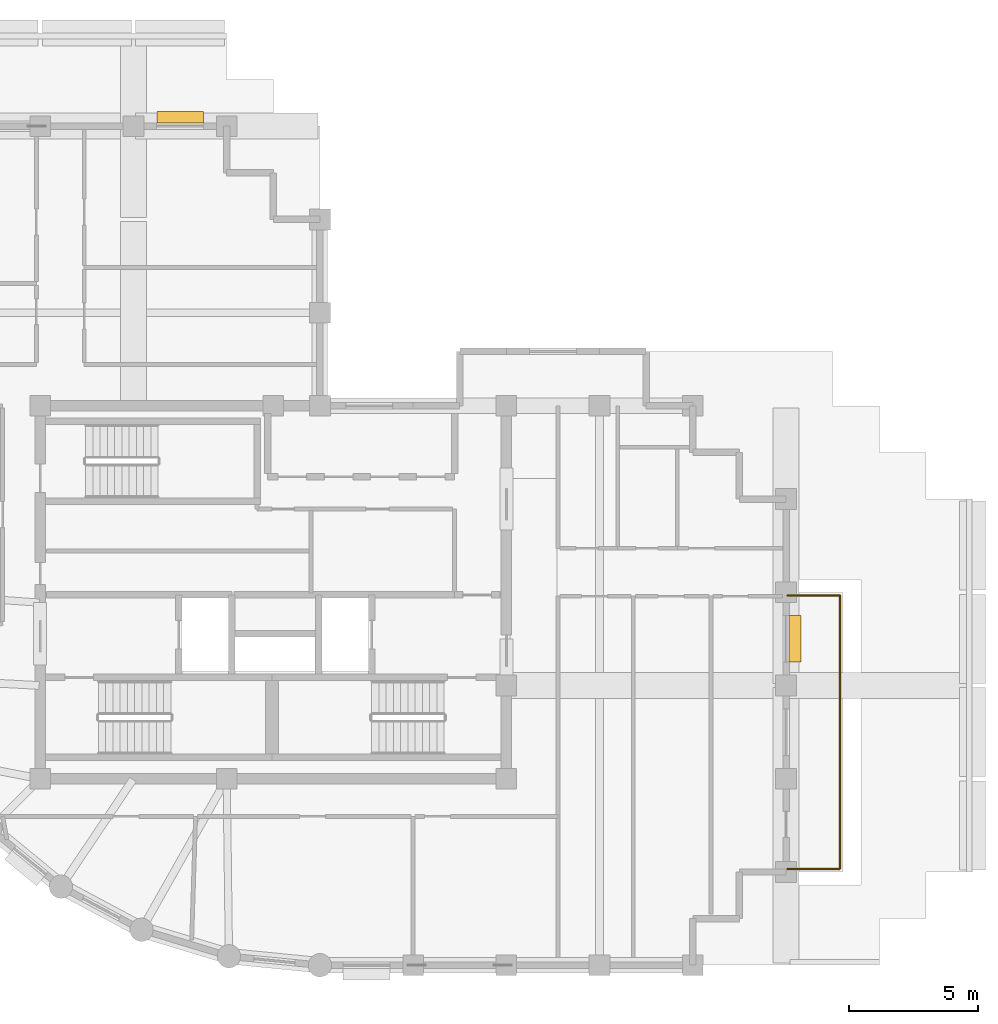
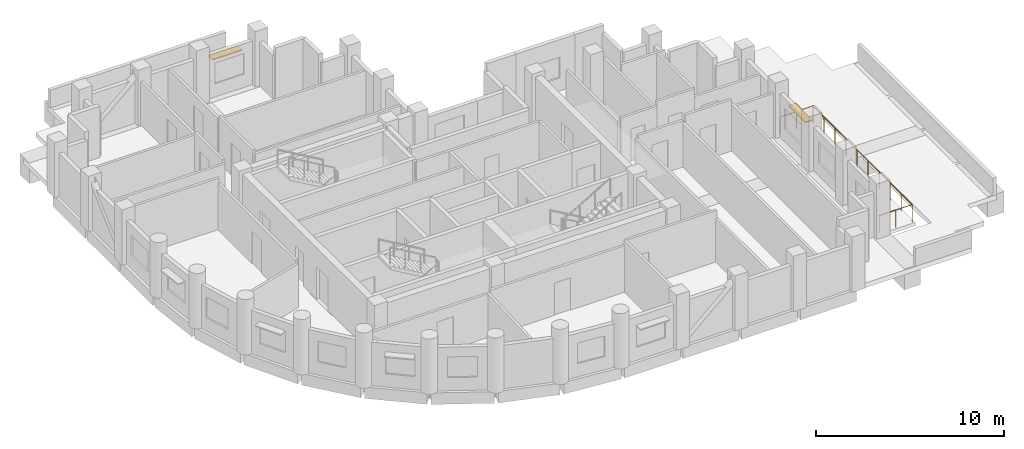
# One storey, part 7 of 7: 3 railings, 2 shading devices.
"""IFC4 building model written with IfcOpenShell, lengths in metres."""

from ifc_helpers import new_model, si_unit, direction, frame, origin, origin_2d, place, context, subcontext, project, spatial, rectangle, circle, extrude, material, layer, layer_set, type_object, element, save


model = new_model("IFC4")

# Units and contexts
model_context = context("Model", 3, precision=1e-05, world=origin(), true_north=direction((0.0, 1.0)))
body_context = subcontext(model_context, "Body", "Model", "MODEL_VIEW")
ifc_project = project(units=[si_unit("LENGTHUNIT", "METRE"), si_unit("AREAUNIT", "SQUARE_METRE"), si_unit("VOLUMEUNIT", "CUBIC_METRE"), si_unit("PLANEANGLEUNIT", "RADIAN"), si_unit("MASSUNIT", "GRAM", prefix="KILO")], contexts=[model_context])

# Site, building, storey
site_placement = place(None, origin())
site = spatial("IfcSite", under=ifc_project, at=site_placement, CompositionType="ELEMENT")
building_placement = place(site_placement, origin())
building = spatial("IfcBuilding", under=site, at=building_placement, Name="Solnavia Interchange Tower", CompositionType="ELEMENT")
storey_placement = place(building_placement, frame((0.0, 0.0, 221.0)))
storey = spatial("IfcBuildingStorey", under=building, at=storey_placement, Name="L55", CompositionType="ELEMENT", Elevation=221.0)

# Railings
ifc_material_1 = material(Name="Laminated Safety Glass & Stainless Steel", Category="steel")
railing_type = type_object("IfcRailingType", Name="Railing-TerraceGuard-1150", PredefinedType="GUARDRAIL", material=ifc_material_1)
railing_1_placement = place(storey_placement, frame((43.25, 7.320068359375, -0.0400390625)))
element("IfcRailing", 1, at=railing_1_placement, inside=storey, type_object=railing_type, Name="GRD-L55-TER-01 Perimeter terrace guardrail", PredefinedType="GUARDRAIL", context=body_context, shape_type="SweptSolid", body=[
    extrude(circle(Radius=0.02392578125, at=origin_2d()), frame((0.0, 0.0, 1.1259765625), z_axis=(1.0, 0.0, 0.0), x_axis=(0.0, 1.0, 0.0)), (0.0, 0.0, 1.0), 2.030029296875),
    extrude(circle(Radius=0.02099609375, at=origin_2d()), origin(), (0.0, 0.0, 1.0), 1.101806640625),
    extrude(circle(Radius=0.02099609375, at=origin_2d()), frame((1.01513671875, 0.0, 0.0)), (0.0, 0.0, 1.0), 1.101806640625),
    extrude(circle(Radius=0.02099609375, at=origin_2d()), frame((2.030029296875, 0.0, 0.0)), (0.0, 0.0, 1.0), 1.101806640625),
])
railing_2_placement = place(storey_placement, frame((45.280029296875, 7.320068359375, -0.0400390625)))
element("IfcRailing", 2, at=railing_2_placement, inside=storey, type_object=railing_type, Name="GRD-L55-TER-02 Perimeter terrace guardrail", PredefinedType="GUARDRAIL", context=body_context, shape_type="SweptSolid", body=[
    extrude(circle(Radius=0.02392578125, at=origin_2d()), frame((0.0, 0.0, 1.1259765625), z_axis=(0.0, 1.0, 0.0), x_axis=(-1.0, 0.0, 0.0)), (0.0, 0.0, 1.0), 10.559814453125),
    extrude(circle(Radius=0.02099609375, at=origin_2d()), origin(), (0.0, 0.0, 1.0), 1.101806640625),
    extrude(circle(Radius=0.02099609375, at=origin_2d()), frame((0.0, 1.17333984375, 0.0)), (0.0, 0.0, 1.0), 1.101806640625),
    extrude(circle(Radius=0.02099609375, at=origin_2d()), frame((0.0, 2.3466796875, 0.0)), (0.0, 0.0, 1.0), 1.101806640625),
    extrude(circle(Radius=0.02099609375, at=origin_2d()), frame((0.0, 3.52001953125, 0.0)), (0.0, 0.0, 1.0), 1.101806640625),
    extrude(circle(Radius=0.02099609375, at=origin_2d()), frame((0.0, 4.693359375, 0.0)), (0.0, 0.0, 1.0), 1.101806640625),
    extrude(circle(Radius=0.02099609375, at=origin_2d()), frame((0.0, 5.866455078125, 0.0)), (0.0, 0.0, 1.0), 1.101806640625),
    extrude(circle(Radius=0.02099609375, at=origin_2d()), frame((0.0, 7.039794921875, 0.0)), (0.0, 0.0, 1.0), 1.101806640625),
    extrude(circle(Radius=0.02099609375, at=origin_2d()), frame((0.0, 8.213134765625, 0.0)), (0.0, 0.0, 1.0), 1.101806640625),
    extrude(circle(Radius=0.02099609375, at=origin_2d()), frame((0.0, 9.386474609375, 0.0)), (0.0, 0.0, 1.0), 1.101806640625),
    extrude(circle(Radius=0.02099609375, at=origin_2d()), frame((0.0, 10.559814453125, 0.0)), (0.0, 0.0, 1.0), 1.101806640625),
])
railing_3_placement = place(storey_placement, frame((45.280029296875, 17.8798828125, -0.0400390625)))
element("IfcRailing", 3, at=railing_3_placement, inside=storey, type_object=railing_type, Name="GRD-L55-TER-03 Perimeter terrace guardrail", PredefinedType="GUARDRAIL", context=body_context, shape_type="SweptSolid", body=[
    extrude(circle(Radius=0.02392578125, at=origin_2d()), frame((0.0, 0.0, 1.1259765625), z_axis=(-1.0, 0.0, 0.0), x_axis=(0.0, -1.0, 0.0)), (0.0, 0.0, 1.0), 2.030029296875),
    extrude(circle(Radius=0.02099609375, at=origin_2d()), origin(), (0.0, 0.0, 1.0), 1.101806640625),
    extrude(circle(Radius=0.02099609375, at=origin_2d()), frame((-1.01513671875, 0.0, 0.0)), (0.0, 0.0, 1.0), 1.101806640625),
    extrude(circle(Radius=0.02099609375, at=origin_2d()), frame((-2.030029296875, 0.0, 0.0)), (0.0, 0.0, 1.0), 1.101806640625),
])

# Shading devices
ifc_material_2 = material(Name="Anodised Aluminium Sunshade", Category="aluminium")
ifc_layer = layer(ifc_material_2, 0.070068359375)
ifc_layer_set = layer_set([ifc_layer], Name="Anodised Aluminium Sunshade")
shading_device_type = type_object("IfcShadingDeviceType", Name="Sunshade-Band-450", PredefinedType="JALOUSIE", material=ifc_layer_set)
for number, where, z_axis, x_axis, name in (
    (4, (43.544921875, 16.199951171875, 2.22509765625), (0.0, 0.0, 1.0), (0.0, -1.0, 0.0), "SHD-L55-11 Horizontal sunshade band"),
    (5, (19.800048828125, 36.344970703125, 2.22509765625), (0.0, 0.0, 1.0), (1.0, 0.0, 0.0), "SHD-L55-31 Horizontal sunshade band"),
):
    element("IfcShadingDevice", number, at=place(storey_placement, frame(where, z_axis=z_axis, x_axis=x_axis)), inside=storey, type_object=shading_device_type, Name=name, PredefinedType="JALOUSIE", context=body_context, shape_type="SweptSolid", body=[
        extrude(rectangle(XDim=1.800048828125, YDim=0.449951171875, at=origin_2d()), origin(), (0.0, 0.0, 1.0), 0.070068359375),
    ])

save(model, "model.ifc")
